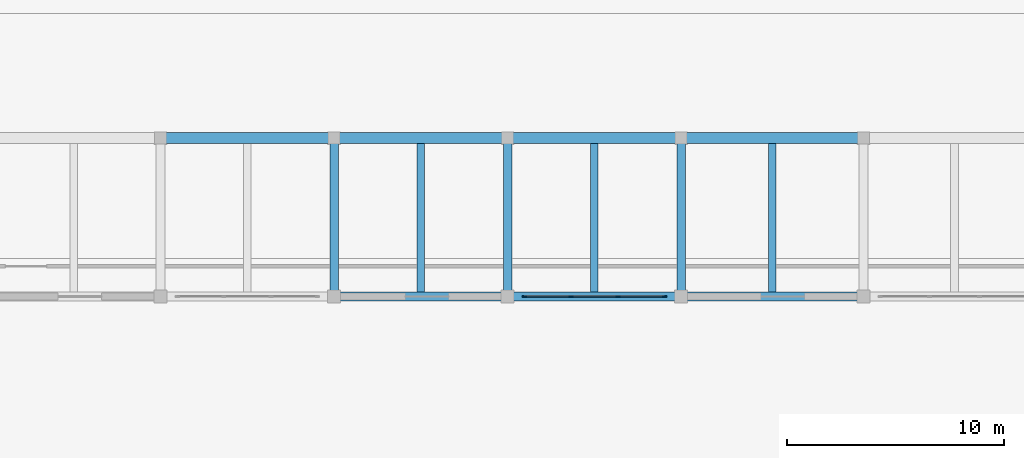
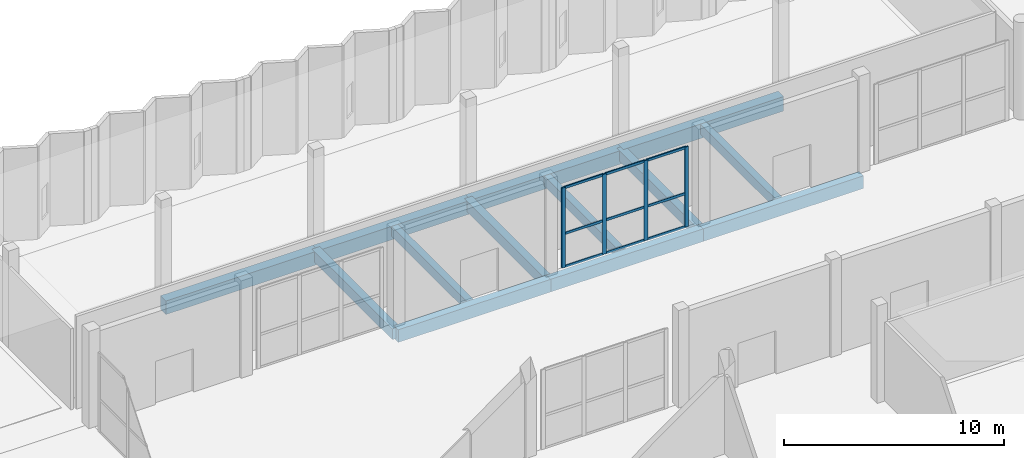
# One storey, part 13 of 41: 13 beams, 13 members, 1 element without a shape of its own.
"""IFC4 building model written with IfcOpenShell, lengths in metres."""

from ifc_helpers import new_model, si_unit, direction, frame, origin, origin_2d, place, context, subcontext, project, spatial, rectangle, extrude, material, material_profile, profile_set, type_object, element, aggregate, save


model = new_model("IFC4")

# Units and contexts
model_context = context("Model", 3, precision=1e-05, world=origin(), true_north=direction((0.0, 1.0)))
body_context = subcontext(model_context, "Body", "Model", "MODEL_VIEW")
ifc_project = project(units=[si_unit("LENGTHUNIT", "METRE"), si_unit("AREAUNIT", "SQUARE_METRE"), si_unit("VOLUMEUNIT", "CUBIC_METRE"), si_unit("PLANEANGLEUNIT", "RADIAN"), si_unit("MASSUNIT", "GRAM", prefix="KILO")], contexts=[model_context])

# Site, building, storey
site_placement = place(None, origin())
site = spatial("IfcSite", under=ifc_project, at=site_placement, CompositionType="ELEMENT")
building_placement = place(site_placement, origin())
building = spatial("IfcBuilding", under=site, at=building_placement, Name="Vharandega Faculty of Natural Sciences", CompositionType="ELEMENT")
storey_placement = place(building_placement, origin())
storey = spatial("IfcBuildingStorey", under=building, at=storey_placement, Name="L00", CompositionType="ELEMENT", Elevation=0.0)

# Curtain wall, members
ifc_material_1 = material(Name="Aluminium and solar-control glass curtain wall", Category="aluminium")
curtain_wall_type = type_object("IfcCurtainWallType", Name="Unitised Curtain Wall System CW-11", PredefinedType="NOTDEFINED", material=ifc_material_1)
curtain_wall_placement = place(storey_placement, origin())
curtain_wall = element("IfcCurtainWall", 1, at=curtain_wall_placement, inside=storey, type_object=curtain_wall_type, Name="Curtain Wall CW-L00-038", PredefinedType="NOTDEFINED")
ifc_material_2 = material(Name="Thermally broken aluminium 6063-T6", Category="aluminium")
ifc_material_profile_1 = material_profile(ifc_material_2, rectangle(XDim=0.070068359375, YDim=0.199951171875, at=origin_2d()), Name="ALU 70x200")
ifc_profile_set_1 = profile_set([ifc_material_profile_1], Name="Thermally broken aluminium 6063-T6")
member_type_1 = type_object("IfcMemberType", Name="CW Mullion 70x200", PredefinedType="MULLION", material=ifc_profile_set_1)
member_1_placement = place(storey_placement, frame((48.77490234375, 97.0, 0.0), z_axis=(0.0, 0.0, 1.0), x_axis=(0.0, 1.0, 0.0)))
member_1 = element("IfcMember", 2, at=member_1_placement, type_object=member_type_1, Name="CW-11 mullion 1", PredefinedType="MULLION", context=body_context, shape_type="SweptSolid", body=[
    extrude(rectangle(XDim=0.070068359375, YDim=0.199951171875, at=origin_2d()), origin(), (0.0, 0.0, 1.0), 4.43994140625),
])
member_2_placement = place(storey_placement, frame((50.913330078125, 97.0, 0.0), z_axis=(0.0, 0.0, 1.0), x_axis=(0.0, 1.0, 0.0)))
member_2 = element("IfcMember", 3, at=member_2_placement, type_object=member_type_1, Name="CW-11 mullion 2", PredefinedType="MULLION", context=body_context, shape_type="SweptSolid", body=[
    extrude(rectangle(XDim=0.070068359375, YDim=0.199951171875, at=origin_2d()), origin(), (0.0, 0.0, 1.0), 4.43994140625),
])
member_3_placement = place(storey_placement, frame((53.086669921875, 97.0, 0.0), z_axis=(0.0, 0.0, 1.0), x_axis=(0.0, 1.0, 0.0)))
member_3 = element("IfcMember", 4, at=member_3_placement, type_object=member_type_1, Name="CW-11 mullion 3", PredefinedType="MULLION", context=body_context, shape_type="SweptSolid", body=[
    extrude(rectangle(XDim=0.070068359375, YDim=0.199951171875, at=origin_2d()), origin(), (0.0, 0.0, 1.0), 4.43994140625),
])
member_4_placement = place(storey_placement, frame((55.22509765625, 97.0, 0.0), z_axis=(0.0, 0.0, 1.0), x_axis=(0.0, 1.0, 0.0)))
member_4 = element("IfcMember", 5, at=member_4_placement, type_object=member_type_1, Name="CW-11 mullion 4", PredefinedType="MULLION", context=body_context, shape_type="SweptSolid", body=[
    extrude(rectangle(XDim=0.070068359375, YDim=0.199951171875, at=origin_2d()), origin(), (0.0, 0.0, 1.0), 4.43994140625),
])
ifc_material_3 = material(Name="Thermally broken aluminium 6063-T6", Category="aluminium")
ifc_material_profile_2 = material_profile(ifc_material_3, rectangle(XDim=0.06494140625, YDim=0.135009765625, at=origin_2d()), Name="ALU 65x135")
ifc_profile_set_2 = profile_set([ifc_material_profile_2], Name="Thermally broken aluminium 6063-T6")
member_type_2 = type_object("IfcMemberType", Name="CW Transom 65x135", PredefinedType="USERDEFINED", material=ifc_profile_set_2)
member_5_placement = place(storey_placement, frame((48.81005859375, 97.0, 0.032470703125), z_axis=(1.0, 0.0, 0.0), x_axis=(0.0, 1.0, 0.0)))
member_5 = element("IfcMember", 6, at=member_5_placement, type_object=member_type_2, Name="CW-11 transom 1.1", ObjectType="TRANSOM", PredefinedType="USERDEFINED", context=body_context, shape_type="SweptSolid", body=[
    extrude(rectangle(XDim=0.06494140625, YDim=0.135009765625, at=origin_2d()), origin(), (0.0, 0.0, 1.0), 2.068359375),
])
member_6_placement = place(storey_placement, frame((48.81005859375, 97.0, 1.86474609375), z_axis=(1.0, 0.0, 0.0), x_axis=(0.0, 1.0, 0.0)))
member_6 = element("IfcMember", 7, at=member_6_placement, type_object=member_type_2, Name="CW-11 transom 1.2", ObjectType="TRANSOM", PredefinedType="USERDEFINED", context=body_context, shape_type="SweptSolid", body=[
    extrude(rectangle(XDim=0.06494140625, YDim=0.135009765625, at=origin_2d()), origin(), (0.0, 0.0, 1.0), 2.068359375),
])
member_7_placement = place(storey_placement, frame((48.81005859375, 97.0, 4.407470703125), z_axis=(1.0, 0.0, 0.0), x_axis=(0.0, 1.0, 0.0)))
member_7 = element("IfcMember", 8, at=member_7_placement, type_object=member_type_2, Name="CW-11 transom 1.3", ObjectType="TRANSOM", PredefinedType="USERDEFINED", context=body_context, shape_type="SweptSolid", body=[
    extrude(rectangle(XDim=0.06494140625, YDim=0.135009765625, at=origin_2d()), origin(), (0.0, 0.0, 1.0), 2.068359375),
])
member_8_placement = place(storey_placement, frame((50.9482421875, 97.0, 0.032470703125), z_axis=(1.0, 0.0, 0.0), x_axis=(0.0, 1.0, 0.0)))
member_8 = element("IfcMember", 9, at=member_8_placement, type_object=member_type_2, Name="CW-11 transom 2.1", ObjectType="TRANSOM", PredefinedType="USERDEFINED", context=body_context, shape_type="SweptSolid", body=[
    extrude(rectangle(XDim=0.06494140625, YDim=0.135009765625, at=origin_2d()), origin(), (0.0, 0.0, 1.0), 2.103515625),
])
member_9_placement = place(storey_placement, frame((50.9482421875, 97.0, 1.86474609375), z_axis=(1.0, 0.0, 0.0), x_axis=(0.0, 1.0, 0.0)))
member_9 = element("IfcMember", 10, at=member_9_placement, type_object=member_type_2, Name="CW-11 transom 2.2", ObjectType="TRANSOM", PredefinedType="USERDEFINED", context=body_context, shape_type="SweptSolid", body=[
    extrude(rectangle(XDim=0.06494140625, YDim=0.135009765625, at=origin_2d()), origin(), (0.0, 0.0, 1.0), 2.103515625),
])
member_10_placement = place(storey_placement, frame((50.9482421875, 97.0, 4.407470703125), z_axis=(1.0, 0.0, 0.0), x_axis=(0.0, 1.0, 0.0)))
member_10 = element("IfcMember", 11, at=member_10_placement, type_object=member_type_2, Name="CW-11 transom 2.3", ObjectType="TRANSOM", PredefinedType="USERDEFINED", context=body_context, shape_type="SweptSolid", body=[
    extrude(rectangle(XDim=0.06494140625, YDim=0.135009765625, at=origin_2d()), origin(), (0.0, 0.0, 1.0), 2.103515625),
])
member_11_placement = place(storey_placement, frame((53.12158203125, 97.0, 0.032470703125), z_axis=(1.0, 0.0, 0.0), x_axis=(0.0, 1.0, 0.0)))
member_11 = element("IfcMember", 12, at=member_11_placement, type_object=member_type_2, Name="CW-11 transom 3.1", ObjectType="TRANSOM", PredefinedType="USERDEFINED", context=body_context, shape_type="SweptSolid", body=[
    extrude(rectangle(XDim=0.06494140625, YDim=0.135009765625, at=origin_2d()), origin(), (0.0, 0.0, 1.0), 2.068359375),
])
member_12_placement = place(storey_placement, frame((53.12158203125, 97.0, 1.86474609375), z_axis=(1.0, 0.0, 0.0), x_axis=(0.0, 1.0, 0.0)))
member_12 = element("IfcMember", 13, at=member_12_placement, type_object=member_type_2, Name="CW-11 transom 3.2", ObjectType="TRANSOM", PredefinedType="USERDEFINED", context=body_context, shape_type="SweptSolid", body=[
    extrude(rectangle(XDim=0.06494140625, YDim=0.135009765625, at=origin_2d()), origin(), (0.0, 0.0, 1.0), 2.068359375),
])
member_13_placement = place(storey_placement, frame((53.12158203125, 97.0, 4.407470703125), z_axis=(1.0, 0.0, 0.0), x_axis=(0.0, 1.0, 0.0)))
member_13 = element("IfcMember", 14, at=member_13_placement, type_object=member_type_2, Name="CW-11 transom 3.3", ObjectType="TRANSOM", PredefinedType="USERDEFINED", context=body_context, shape_type="SweptSolid", body=[
    extrude(rectangle(XDim=0.06494140625, YDim=0.135009765625, at=origin_2d()), origin(), (0.0, 0.0, 1.0), 2.068359375),
])
aggregate(curtain_wall, [member_1, member_2, member_3, member_4, member_5, member_6, member_7, member_8, member_9, member_10, member_11, member_12, member_13])

# Beams
ifc_material_4 = material(Name="Concrete C40/50", Category="concrete")
ifc_material_profile_3 = material_profile(ifc_material_4, rectangle(XDim=0.5, YDim=0.800048828125, at=origin_2d()), Name="RC 500x800")
ifc_profile_set_3 = profile_set([ifc_material_profile_3], Name="Concrete C40/50")
beam_type_1 = type_object("IfcBeamType", Name="Podium Heavy Girder 500x800", PredefinedType="BEAM", material=ifc_profile_set_3)
beam_1_placement = place(storey_placement, frame((56.0, 104.300048828125, -0.679931640625), z_axis=(1.0, 0.0, 0.0), x_axis=(0.0, 1.0, 0.0)))
element("IfcBeam", 15, at=beam_1_placement, inside=storey, type_object=beam_type_1, Name="Beam L00 P/8-9", PredefinedType="BEAM", context=body_context, shape_type="SweptSolid", body=[
    extrude(rectangle(XDim=0.5, YDim=0.800048828125, at=origin_2d()), origin(), (0.0, 0.0, 1.0), 8.39990234375),
])
ifc_material_5 = material(Name="Concrete C40/50", Category="concrete")
ifc_material_profile_4 = material_profile(ifc_material_5, rectangle(XDim=0.5, YDim=0.75, at=origin_2d()), Name="RC 500x750")
ifc_profile_set_4 = profile_set([ifc_material_profile_4], Name="Concrete C40/50")
beam_type_2 = type_object("IfcBeamType", Name="Podium Primary Beam 500x750", PredefinedType="BEAM", material=ifc_profile_set_4)
for number, where, z_axis, x_axis, name in (
    (16, (32.0, 104.300048828125, -0.655029296875), (1.0, 0.0, 0.0), (0.0, 1.0, 0.0), "Beam L00 P/5-6"),
    (17, (40.0, 104.300048828125, -0.655029296875), (1.0, 0.0, 0.0), (0.0, 1.0, 0.0), "Beam L00 P/6-7"),
    (18, (48.0, 104.300048828125, -0.655029296875), (1.0, 0.0, 0.0), (0.0, 1.0, 0.0), "Beam L00 P/7-8"),
):
    element("IfcBeam", number, at=place(storey_placement, frame(where, z_axis=z_axis, x_axis=x_axis)), inside=storey, type_object=beam_type_2, Name=name, PredefinedType="BEAM", context=body_context, shape_type="SweptSolid", body=[
        extrude(rectangle(XDim=0.5, YDim=0.75, at=origin_2d()), origin(), (0.0, 0.0, 1.0), 8.0),
    ])
ifc_material_6 = material(Name="Concrete C40/50", Category="concrete")
ifc_material_profile_5 = material_profile(ifc_material_6, rectangle(XDim=0.39990234375, YDim=0.60009765625, at=origin_2d()), Name="RC 400x600")
ifc_profile_set_5 = profile_set([ifc_material_profile_5], Name="Concrete C40/50")
beam_type_3 = type_object("IfcBeamType", Name="Podium Rib Beam 400x600", PredefinedType="BEAM", material=ifc_profile_set_5)
for number, where, z_axis, x_axis, name in (
    (19, (40.0, 97.0, -0.580078125), (0.0, 1.0, 0.0), (-1.0, 0.0, 0.0), "Beam L00 6/N-P"),
    (20, (48.0, 97.0, -0.580078125), (0.0, 1.0, 0.0), (-1.0, 0.0, 0.0), "Beam L00 7/N-P"),
    (21, (56.0, 97.0, -0.580078125), (0.0, 1.0, 0.0), (-1.0, 0.0, 0.0), "Beam L00 8/N-P"),
):
    element("IfcBeam", number, at=place(storey_placement, frame(where, z_axis=z_axis, x_axis=x_axis)), inside=storey, type_object=beam_type_3, Name=name, PredefinedType="BEAM", context=body_context, shape_type="SweptSolid", body=[
        extrude(rectangle(XDim=0.39990234375, YDim=0.60009765625, at=origin_2d()), origin(), (0.0, 0.0, 1.0), 7.300048828125),
    ])
ifc_material_7 = material(Name="Concrete C40/50", Category="concrete")
ifc_material_profile_6 = material_profile(ifc_material_7, rectangle(XDim=0.35009765625, YDim=0.550048828125, at=origin_2d()), Name="RC 350x550")
ifc_profile_set_6 = profile_set([ifc_material_profile_6], Name="Concrete C40/50")
beam_type_4 = type_object("IfcBeamType", Name="Podium Secondary Beam 350x550", PredefinedType="JOIST", material=ifc_profile_set_6)
for number, where, z_axis, x_axis, name in (
    (22, (44.0, 97.199951171875, -0.554931640625), (0.0, 1.0, 0.0), (-1.0, 0.0, 0.0), "Secondary Joist L00 6-7/N-P"),
    (23, (52.0, 97.199951171875, -0.554931640625), (0.0, 1.0, 0.0), (-1.0, 0.0, 0.0), "Secondary Joist L00 7-8/N-P"),
    (24, (60.199951171875, 97.199951171875, -0.554931640625), (0.0, 1.0, 0.0), (-1.0, 0.0, 0.0), "Secondary Joist L00 8-9/N-P"),
):
    element("IfcBeam", number, at=place(storey_placement, frame(where, z_axis=z_axis, x_axis=x_axis)), inside=storey, type_object=beam_type_4, Name=name, PredefinedType="JOIST", context=body_context, shape_type="SweptSolid", body=[
        extrude(rectangle(XDim=0.35009765625, YDim=0.550048828125, at=origin_2d()), origin(), (0.0, 0.0, 1.0), 6.85009765625),
    ])
ifc_material_8 = material(Name="Concrete C40/50", Category="concrete")
ifc_material_profile_7 = material_profile(ifc_material_8, rectangle(XDim=0.39990234375, YDim=0.699951171875, at=origin_2d()), Name="RC 400x700")
ifc_profile_set_7 = profile_set([ifc_material_profile_7], Name="Concrete C40/50")
beam_type_5 = type_object("IfcBeamType", Name="Podium Spandrel Beam 400x700", PredefinedType="SPANDREL", material=ifc_profile_set_7)
for number, where, z_axis, x_axis, name in (
    (25, (40.0, 97.0, -0.6298828125), (1.0, 0.0, 0.0), (0.0, 1.0, 0.0), "Beam L00 N/6-7"),
    (26, (48.0, 97.0, -0.6298828125), (1.0, 0.0, 0.0), (0.0, 1.0, 0.0), "Beam L00 N/7-8"),
):
    element("IfcBeam", number, at=place(storey_placement, frame(where, z_axis=z_axis, x_axis=x_axis)), inside=storey, type_object=beam_type_5, Name=name, PredefinedType="SPANDREL", context=body_context, shape_type="SweptSolid", body=[
        extrude(rectangle(XDim=0.39990234375, YDim=0.699951171875, at=origin_2d()), origin(), (0.0, 0.0, 1.0), 8.0),
    ])
beam_2_placement = place(storey_placement, frame((56.0, 97.0, -0.6298828125), z_axis=(1.0, 0.0, 0.0), x_axis=(0.0, 1.0, 0.0)))
element("IfcBeam", 27, at=beam_2_placement, inside=storey, type_object=beam_type_5, Name="Beam L00 N/8-9", PredefinedType="SPANDREL", context=body_context, shape_type="SweptSolid", body=[
    extrude(rectangle(XDim=0.39990234375, YDim=0.699951171875, at=origin_2d()), origin(), (0.0, 0.0, 1.0), 8.39990234375),
])

save(model, "model.ifc")
